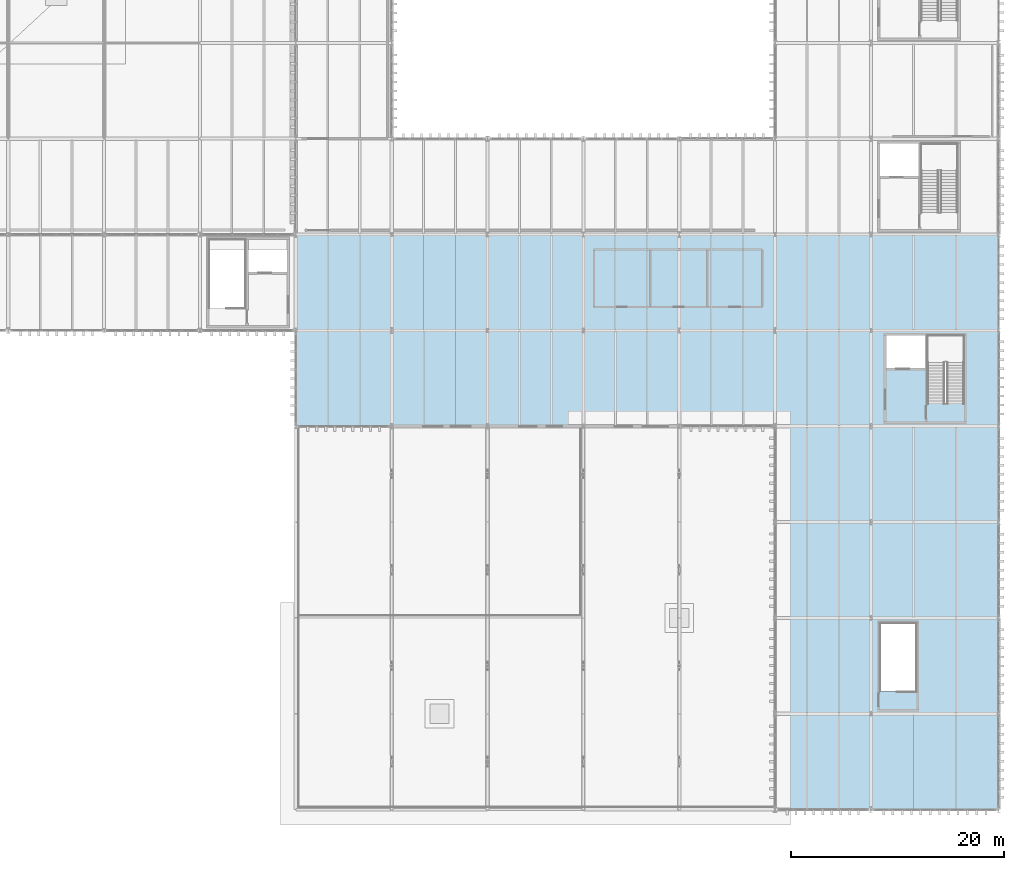
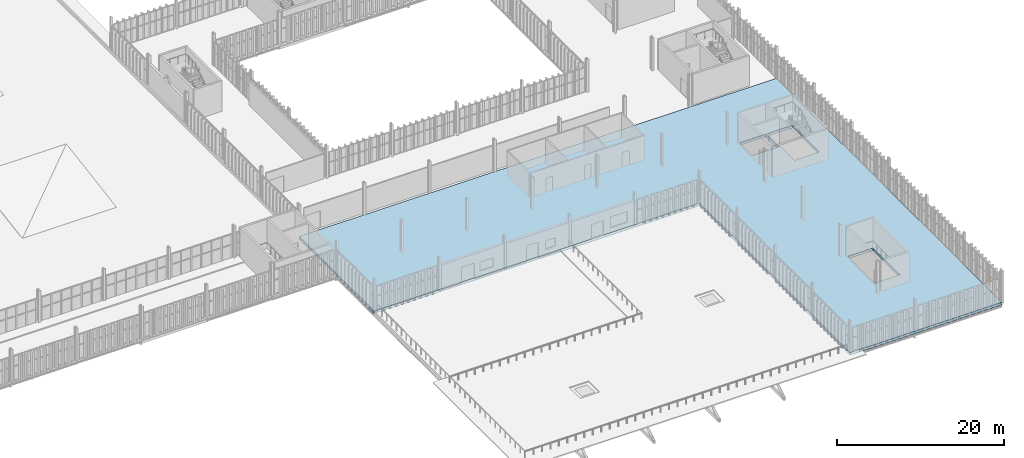
# One storey, part 164 of 196: 1 slab.
"""IFC4 building model written with IfcOpenShell, lengths in metres."""

from ifc_helpers import new_model, si_unit, direction, frame, origin, place, context, subcontext, project, spatial, polyline, outline, extrude, material, layer, layer_set, type_object, element, save


model = new_model("IFC4")

# Units and contexts
model_context = context("Model", 3, precision=1e-05, world=origin(), true_north=direction((0.0, 1.0)))
body_context = subcontext(model_context, "Body", "Model", "MODEL_VIEW")
ifc_project = project(units=[si_unit("LENGTHUNIT", "METRE"), si_unit("AREAUNIT", "SQUARE_METRE"), si_unit("VOLUMEUNIT", "CUBIC_METRE"), si_unit("PLANEANGLEUNIT", "RADIAN"), si_unit("MASSUNIT", "GRAM", prefix="KILO")], contexts=[model_context])

# Site, building, storey
site_placement = place(None, origin())
site = spatial("IfcSite", under=ifc_project, at=site_placement, CompositionType="ELEMENT")
building_placement = place(site_placement, origin())
building = spatial("IfcBuilding", under=site, at=building_placement, Name="Barlavento Convention Centre", CompositionType="ELEMENT")
storey_placement = place(building_placement, frame((0.0, 0.0, 18.0)))
storey = spatial("IfcBuildingStorey", under=building, at=storey_placement, Name="L03", CompositionType="ELEMENT", Elevation=18.0)

# Slab
ifc_material = material(Name="Concrete C40/50", Category="concrete")
ifc_layer = layer(ifc_material, 0.389892578125)
ifc_layer_set = layer_set([ifc_layer], Name="STR-SLB-TRF-390")
slab_type = type_object("IfcSlabType", Name="STR-SLB-TRF-390", PredefinedType="FLOOR", material=ifc_layer_set)
slab_placement = place(storey_placement, frame((0.0, 0.0, -0.389892578125)))
element("IfcSlab", 1, at=slab_placement, inside=storey, type_object=slab_type, Name="L03 structural slab FS-302", PredefinedType="FLOOR", context=body_context, shape_type="SweptSolid", body=[
    extrude(outline(polyline([(171.0, 0.0), (192.0, 0.0), (192.0, 54.0), (126.0, 54.0), (126.0, 36.0), (171.0, 36.0), (171.0, 0.0)]), holes=[polyline([(188.75, 38.114990234375), (188.75, 44.530029296875), (185.31005859375, 44.530029296875), (185.31005859375, 38.114990234375), (188.75, 38.114990234375)]), polyline([(181.449951171875, 41.4951171875), (185.06005859375, 41.4951171875), (185.06005859375, 44.530029296875), (181.449951171875, 44.530029296875), (181.449951171875, 41.4951171875)]), polyline([(184.2900390625, 11.114990234375), (184.2900390625, 17.530029296875), (180.85009765625, 17.530029296875), (180.85009765625, 11.114990234375), (184.2900390625, 11.114990234375)])]), origin(), (0.0, 0.0, 1.0), 0.389892578125),
])

save(model, "model.ifc")
